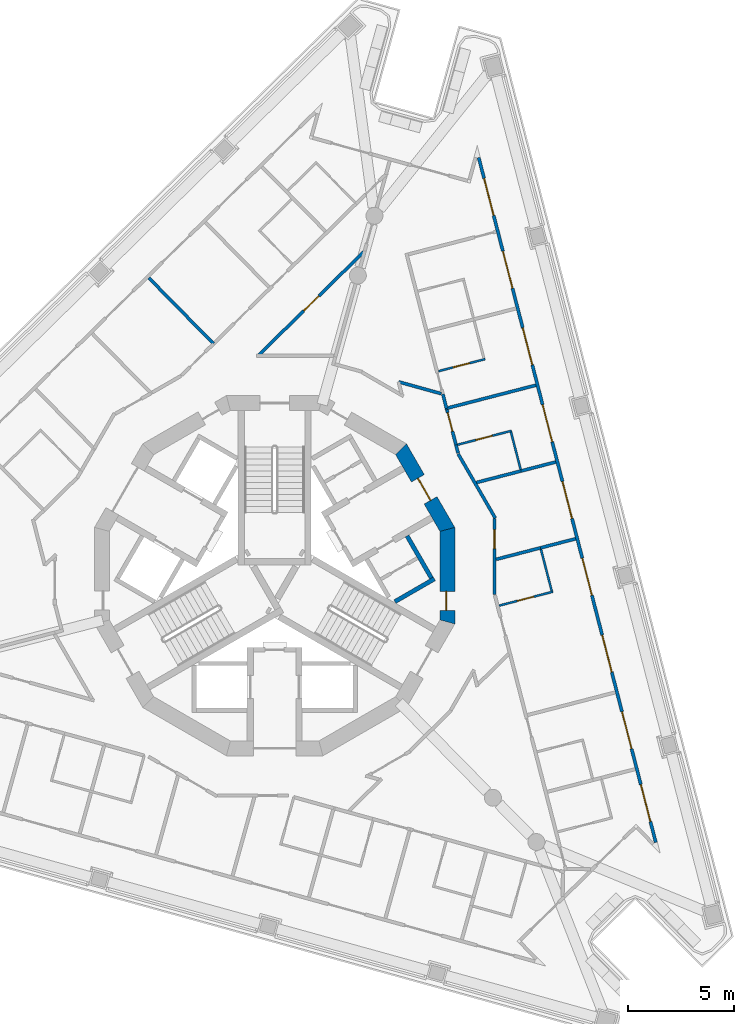
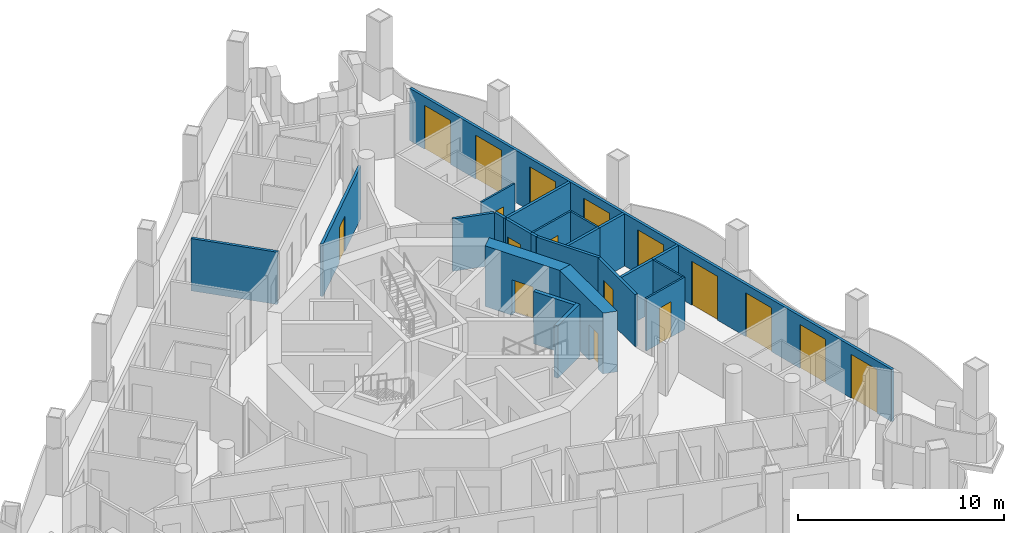
# One storey, part 7 of 15: 23 walls, 17 doors, 17 openings.
"""IFC4 building model written with IfcOpenShell, lengths in metres."""

from ifc_helpers import new_model, si_unit, direction, frame, frame_2d, origin, place, context, subcontext, project, spatial, polyline, rectangle, outline, extrude, material, layer, layer_set, type_object, element, fill, save


model = new_model("IFC4")

# Units and contexts
model_context = context("Model", 3, precision=1e-05, world=origin(), true_north=direction((0.0, 1.0)))
body_context = subcontext(model_context, "Body", "Model", "MODEL_VIEW")
ifc_project = project(units=[si_unit("LENGTHUNIT", "METRE"), si_unit("AREAUNIT", "SQUARE_METRE"), si_unit("VOLUMEUNIT", "CUBIC_METRE"), si_unit("PLANEANGLEUNIT", "RADIAN"), si_unit("MASSUNIT", "GRAM", prefix="KILO")], contexts=[model_context])

# Site, building, storey
site_placement = place(None, origin())
site = spatial("IfcSite", under=ifc_project, at=site_placement, CompositionType="ELEMENT")
building_placement = place(site_placement, origin())
building = spatial("IfcBuilding", under=site, at=building_placement, Name="Trine Commons Tower", CompositionType="ELEMENT")
storey_placement = place(building_placement, frame((0.0, 0.0, 263.699951171875)))
storey = spatial("IfcBuildingStorey", under=building, at=storey_placement, Name="L69", CompositionType="ELEMENT", Elevation=263.699951171875)

# Wall, openings, doors
ifc_material_1 = material(Name="Aluminium-framed insulated wall panel", Category="aluminium")
ifc_layer_1 = layer(ifc_material_1, 0.14990234375)
ifc_layer_set_1 = layer_set([ifc_layer_1], Name="Aluminium-framed insulated wall panel")
wall_type_1 = type_object("IfcWallType", Name="Glazed frame wall 150, EI 60", PredefinedType="SOLIDWALL", material=ifc_layer_set_1)
wall_1_placement = place(storey_placement, frame((89.59130859375, 82.377685546875, 0.0), z_axis=(0.0, 0.0, 1.0), x_axis=(0.250378839788, -0.968147941477, 0.0)))
wall_1 = element("IfcWall", 1, at=wall_1_placement, inside=storey, type_object=wall_type_1, Name="Glazed frame wall F2", PredefinedType="SOLIDWALL", context=body_context, shape_type="SweptSolid", body=[
    extrude(outline(polyline([(0.1494140625, 0.074951171875), (0.1494140625, -0.074951171875), (33.536865234375, -0.074951171875), (33.536865234375, 0.074951171875), (0.1494140625, 0.074951171875)])), origin(), (0.0, 0.0, 1.0), 3.10009765625),
])
opening_1_placement = place(wall_1_placement, frame((1.17138671875, 0.0, 0.0)))
opening_1 = element("IfcOpeningElement", 2, at=opening_1_placement, cuts=wall_1, Name="Opening BD-7F2-01", PredefinedType="OPENING", context=body_context, shape_type="SweptSolid", body=[
    extrude(rectangle(XDim=1.800048828125, YDim=2.60009765625, at=frame_2d((0.89990234375, 1.300048828125))), frame((0.0, 0.0849609375, 0.0), z_axis=(0.0, -1.0, 0.0), x_axis=(1.0, 0.0, 0.0)), (0.0, 0.0, 1.0), 0.169921875),
])
opening_2_placement = place(wall_1_placement, frame((4.71435546875, 0.0, 0.0)))
opening_2 = element("IfcOpeningElement", 3, at=opening_2_placement, cuts=wall_1, Name="Opening BD-7F2-02", PredefinedType="OPENING", context=body_context, shape_type="SweptSolid", body=[
    extrude(rectangle(XDim=1.800048828125, YDim=2.60009765625, at=frame_2d((0.89990234375, 1.300048828125))), frame((0.0, 0.0849609375, 0.0), z_axis=(0.0, -1.0, 0.0), x_axis=(1.0, 0.0, 0.0)), (0.0, 0.0, 1.0), 0.169921875),
])
opening_3_placement = place(wall_1_placement, frame((8.457275390625, 0.0, 0.0)))
opening_3 = element("IfcOpeningElement", 4, at=opening_3_placement, cuts=wall_1, Name="Opening BD-7F2-03", PredefinedType="OPENING", context=body_context, shape_type="SweptSolid", body=[
    extrude(rectangle(XDim=1.800048828125, YDim=2.60009765625, at=frame_2d((0.89990234375, 1.300048828125))), frame((0.0, 0.0849609375, 0.0), z_axis=(0.0, -1.0, 0.0), x_axis=(1.0, 0.0, 0.0)), (0.0, 0.0, 1.0), 0.169921875),
])
opening_4_placement = place(wall_1_placement, frame((12.2001953125, 0.0, 0.0)))
opening_4 = element("IfcOpeningElement", 5, at=opening_4_placement, cuts=wall_1, Name="Opening BD-7F2-04", PredefinedType="OPENING", context=body_context, shape_type="SweptSolid", body=[
    extrude(rectangle(XDim=1.800048828125, YDim=2.60009765625, at=frame_2d((0.89990234375, 1.300048828125))), frame((0.0, 0.0849609375, 0.0), z_axis=(0.0, -1.0, 0.0), x_axis=(1.0, 0.0, 0.0)), (0.0, 0.0, 1.0), 0.169921875),
])
opening_5_placement = place(wall_1_placement, frame((15.943115234375, 0.0, 0.0)))
opening_5 = element("IfcOpeningElement", 6, at=opening_5_placement, cuts=wall_1, Name="Opening BD-7F2-05", PredefinedType="OPENING", context=body_context, shape_type="SweptSolid", body=[
    extrude(rectangle(XDim=1.800048828125, YDim=2.60009765625, at=frame_2d((0.89990234375, 1.300048828125))), frame((0.0, 0.0849609375, 0.0), z_axis=(0.0, -1.0, 0.0), x_axis=(1.0, 0.0, 0.0)), (0.0, 0.0, 1.0), 0.169921875),
])
opening_6_placement = place(wall_1_placement, frame((19.68603515625, 0.0, 0.0)))
opening_6 = element("IfcOpeningElement", 7, at=opening_6_placement, cuts=wall_1, Name="Opening BD-7F2-06", PredefinedType="OPENING", context=body_context, shape_type="SweptSolid", body=[
    extrude(rectangle(XDim=1.800048828125, YDim=2.60009765625, at=frame_2d((0.89990234375, 1.300048828125))), frame((0.0, 0.0849609375, 0.0), z_axis=(0.0, -1.0, 0.0), x_axis=(1.0, 0.0, 0.0)), (0.0, 0.0, 1.0), 0.169921875),
])
opening_7_placement = place(wall_1_placement, frame((23.428955078125, 0.0, 0.0)))
opening_7 = element("IfcOpeningElement", 8, at=opening_7_placement, cuts=wall_1, Name="Opening BD-7F2-07", PredefinedType="OPENING", context=body_context, shape_type="SweptSolid", body=[
    extrude(rectangle(XDim=1.800048828125, YDim=2.60009765625, at=frame_2d((0.89990234375, 1.300048828125))), frame((0.0, 0.0849609375, 0.0), z_axis=(0.0, -1.0, 0.0), x_axis=(1.0, 0.0, 0.0)), (0.0, 0.0, 1.0), 0.169921875),
])
opening_8_placement = place(wall_1_placement, frame((27.171875, 0.0, 0.0)))
opening_8 = element("IfcOpeningElement", 9, at=opening_8_placement, cuts=wall_1, Name="Opening BD-7F2-08", PredefinedType="OPENING", context=body_context, shape_type="SweptSolid", body=[
    extrude(rectangle(XDim=1.800048828125, YDim=2.60009765625, at=frame_2d((0.89990234375, 1.300048828125))), frame((0.0, 0.0849609375, 0.0), z_axis=(0.0, -1.0, 0.0), x_axis=(1.0, 0.0, 0.0)), (0.0, 0.0, 1.0), 0.169921875),
])
opening_9_placement = place(wall_1_placement, frame((30.714599609375, 0.0, 0.0)))
opening_9 = element("IfcOpeningElement", 10, at=opening_9_placement, cuts=wall_1, Name="Opening BD-7F2-09", PredefinedType="OPENING", context=body_context, shape_type="SweptSolid", body=[
    extrude(rectangle(XDim=1.800048828125, YDim=2.60009765625, at=frame_2d((0.89990234375, 1.300048828125))), frame((0.0, 0.0849609375, 0.0), z_axis=(0.0, -1.0, 0.0), x_axis=(1.0, 0.0, 0.0)), (0.0, 0.0, 1.0), 0.169921875),
])
ifc_material_2 = material(Name="Anodised aluminium frame with double glazing", Category="aluminium")
door_type_1 = type_object("IfcDoorType", Name="Sliding loggia door 1800x2600", OperationType="SLIDING_TO_LEFT", PredefinedType="DOOR", material=ifc_material_2)
door_1_placement = place(opening_1_placement, origin())
door_1 = element("IfcDoor", 11, at=door_1_placement, inside=storey, type_object=door_type_1, Name="Loggia door F2 1", OperationType="SLIDING_TO_LEFT", OverallHeight=2.60009765625, OverallWidth=1.800048828125, PredefinedType="DOOR", context=body_context, shape_type="SweptSolid", body=[
    extrude(rectangle(XDim=1.800048828125, YDim=2.60009765625, at=frame_2d((0.89990234375, 1.300048828125))), frame((0.0, 0.02490234375, 0.0), z_axis=(0.0, -1.0, 0.0), x_axis=(1.0, 0.0, 0.0)), (0.0, 0.0, 1.0), 0.050048828125),
])
fill(opening_1, door_1)
door_2_placement = place(opening_2_placement, origin())
door_2 = element("IfcDoor", 12, at=door_2_placement, inside=storey, type_object=door_type_1, Name="Loggia door F2 2", OperationType="SLIDING_TO_LEFT", OverallHeight=2.60009765625, OverallWidth=1.800048828125, PredefinedType="DOOR", context=body_context, shape_type="SweptSolid", body=[
    extrude(rectangle(XDim=1.800048828125, YDim=2.60009765625, at=frame_2d((0.89990234375, 1.300048828125))), frame((0.0, 0.02490234375, 0.0), z_axis=(0.0, -1.0, 0.0), x_axis=(1.0, 0.0, 0.0)), (0.0, 0.0, 1.0), 0.050048828125),
])
fill(opening_2, door_2)
door_3_placement = place(opening_3_placement, origin())
door_3 = element("IfcDoor", 13, at=door_3_placement, inside=storey, type_object=door_type_1, Name="Loggia door F2 3", OperationType="SLIDING_TO_LEFT", OverallHeight=2.60009765625, OverallWidth=1.800048828125, PredefinedType="DOOR", context=body_context, shape_type="SweptSolid", body=[
    extrude(rectangle(XDim=1.800048828125, YDim=2.60009765625, at=frame_2d((0.89990234375, 1.300048828125))), frame((0.0, 0.02490234375, 0.0), z_axis=(0.0, -1.0, 0.0), x_axis=(1.0, 0.0, 0.0)), (0.0, 0.0, 1.0), 0.050048828125),
])
fill(opening_3, door_3)
door_4_placement = place(opening_4_placement, origin())
door_4 = element("IfcDoor", 14, at=door_4_placement, inside=storey, type_object=door_type_1, Name="Loggia door F2 4", OperationType="SLIDING_TO_LEFT", OverallHeight=2.60009765625, OverallWidth=1.800048828125, PredefinedType="DOOR", context=body_context, shape_type="SweptSolid", body=[
    extrude(rectangle(XDim=1.800048828125, YDim=2.60009765625, at=frame_2d((0.89990234375, 1.300048828125))), frame((0.0, 0.02490234375, 0.0), z_axis=(0.0, -1.0, 0.0), x_axis=(1.0, 0.0, 0.0)), (0.0, 0.0, 1.0), 0.050048828125),
])
fill(opening_4, door_4)
door_5_placement = place(opening_5_placement, origin())
door_5 = element("IfcDoor", 15, at=door_5_placement, inside=storey, type_object=door_type_1, Name="Loggia door F2 5", OperationType="SLIDING_TO_LEFT", OverallHeight=2.60009765625, OverallWidth=1.800048828125, PredefinedType="DOOR", context=body_context, shape_type="SweptSolid", body=[
    extrude(rectangle(XDim=1.800048828125, YDim=2.60009765625, at=frame_2d((0.89990234375, 1.300048828125))), frame((0.0, 0.02490234375, 0.0), z_axis=(0.0, -1.0, 0.0), x_axis=(1.0, 0.0, 0.0)), (0.0, 0.0, 1.0), 0.050048828125),
])
fill(opening_5, door_5)
door_6_placement = place(opening_6_placement, origin())
door_6 = element("IfcDoor", 16, at=door_6_placement, inside=storey, type_object=door_type_1, Name="Loggia door F2 6", OperationType="SLIDING_TO_LEFT", OverallHeight=2.60009765625, OverallWidth=1.800048828125, PredefinedType="DOOR", context=body_context, shape_type="SweptSolid", body=[
    extrude(rectangle(XDim=1.800048828125, YDim=2.60009765625, at=frame_2d((0.89990234375, 1.300048828125))), frame((0.0, 0.02490234375, 0.0), z_axis=(0.0, -1.0, 0.0), x_axis=(1.0, 0.0, 0.0)), (0.0, 0.0, 1.0), 0.050048828125),
])
fill(opening_6, door_6)
door_7_placement = place(opening_7_placement, origin())
door_7 = element("IfcDoor", 17, at=door_7_placement, inside=storey, type_object=door_type_1, Name="Loggia door F2 7", OperationType="SLIDING_TO_LEFT", OverallHeight=2.60009765625, OverallWidth=1.800048828125, PredefinedType="DOOR", context=body_context, shape_type="SweptSolid", body=[
    extrude(rectangle(XDim=1.800048828125, YDim=2.60009765625, at=frame_2d((0.89990234375, 1.300048828125))), frame((0.0, 0.02490234375, 0.0), z_axis=(0.0, -1.0, 0.0), x_axis=(1.0, 0.0, 0.0)), (0.0, 0.0, 1.0), 0.050048828125),
])
fill(opening_7, door_7)
door_8_placement = place(opening_8_placement, origin())
door_8 = element("IfcDoor", 18, at=door_8_placement, inside=storey, type_object=door_type_1, Name="Loggia door F2 8", OperationType="SLIDING_TO_LEFT", OverallHeight=2.60009765625, OverallWidth=1.800048828125, PredefinedType="DOOR", context=body_context, shape_type="SweptSolid", body=[
    extrude(rectangle(XDim=1.800048828125, YDim=2.60009765625, at=frame_2d((0.89990234375, 1.300048828125))), frame((0.0, 0.02490234375, 0.0), z_axis=(0.0, -1.0, 0.0), x_axis=(1.0, 0.0, 0.0)), (0.0, 0.0, 1.0), 0.050048828125),
])
fill(opening_8, door_8)
door_9_placement = place(opening_9_placement, origin())
door_9 = element("IfcDoor", 19, at=door_9_placement, inside=storey, type_object=door_type_1, Name="Loggia door F2 9", OperationType="SLIDING_TO_LEFT", OverallHeight=2.60009765625, OverallWidth=1.800048828125, PredefinedType="DOOR", context=body_context, shape_type="SweptSolid", body=[
    extrude(rectangle(XDim=1.800048828125, YDim=2.60009765625, at=frame_2d((0.89990234375, 1.300048828125))), frame((0.0, 0.02490234375, 0.0), z_axis=(0.0, -1.0, 0.0), x_axis=(1.0, 0.0, 0.0)), (0.0, 0.0, 1.0), 0.050048828125),
])
fill(opening_9, door_9)

# Wall, opening, door
ifc_material_3 = material(Name="Concrete C50/60", Category="concrete")
ifc_layer_2 = layer(ifc_material_3, 0.699951171875)
ifc_layer_set_2 = layer_set([ifc_layer_2], Name="Concrete C50/60")
wall_type_2 = type_object("IfcWallType", Name="RC shear wall 700 mm, C50/60", PredefinedType="SHEAR", material=ifc_layer_set_2)
wall_2_placement = place(storey_placement, frame((88.150146484375, 60.222412109375, 0.0), z_axis=(0.0, 0.0, 1.0), x_axis=(0.0, 1.0, 0.0)))
wall_2 = element("IfcWall", 20, at=wall_2_placement, inside=storey, type_object=wall_type_2, Name="Core wall CWG-01 L69", PredefinedType="SHEAR", context=body_context, shape_type="SweptSolid", body=[
    extrude(outline(polyline([(0.0, -0.35009765625), (4.55517578125, -0.35009765625), (4.36767578125, 0.35009765625), (0.1875, 0.35009765625), (0.0, -0.35009765625)])), origin(), (0.0, 0.0, 1.0), 3.60009765625),
])
opening_10_placement = place(wall_2_placement, frame((0.6416015625, 0.0, 0.0)))
opening_10 = element("IfcOpeningElement", 21, at=opening_10_placement, cuts=wall_2, Name="Opening K15.17", PredefinedType="OPENING", context=body_context, shape_type="SweptSolid", body=[
    extrude(rectangle(XDim=0.89990234375, YDim=2.10009765625, at=frame_2d((0.449951171875, 1.050048828125))), frame((0.0, 0.35986328125, 0.0), z_axis=(0.0, -1.0, 0.0), x_axis=(1.0, 0.0, 0.0)), (0.0, 0.0, 1.0), 0.719970703125),
])
ifc_material_4 = material(Name="Steel door leaf, fire-rated", Category="steel")
door_type_2 = type_object("IfcDoorType", Name="Core room door, single leaf 900 x 2100, FD30S", OperationType="SINGLE_SWING_LEFT", PredefinedType="DOOR", material=ifc_material_4)
door_10_placement = place(opening_10_placement, origin())
door_10 = element("IfcDoor", 22, at=door_10_placement, inside=storey, type_object=door_type_2, Name="Door to Core WC L69", OperationType="SINGLE_SWING_LEFT", OverallHeight=2.10009765625, OverallWidth=0.89990234375, PredefinedType="DOOR", context=body_context, shape_type="SweptSolid", body=[
    extrude(rectangle(XDim=0.89990234375, YDim=2.10009765625, at=frame_2d((0.449951171875, 1.050048828125))), frame((0.0, 0.0751953125, 0.0), z_axis=(0.0, -1.0, 0.0), x_axis=(1.0, 0.0, 0.0)), (0.0, 0.0, 1.0), 0.050048828125),
])
fill(opening_10, door_10)

wall_3_placement = place(storey_placement, frame((88.197021484375, 64.6025390625, 0.0), z_axis=(0.0, 0.0, 1.0), x_axis=(-0.499983800959, 0.866034756103, 0.0)))
wall_3 = element("IfcWall", 23, at=wall_3_placement, inside=storey, type_object=wall_type_2, Name="Core wall CWG-02 L69", PredefinedType="SHEAR", context=body_context, shape_type="SweptSolid", body=[
    extrude(outline(polyline([(0.0, -0.35009765625), (4.55517578125, -0.35009765625), (4.36767578125, 0.35009765625), (0.1875, 0.35009765625), (0.0, -0.35009765625)])), origin(), (0.0, 0.0, 1.0), 3.60009765625),
])
opening_11_placement = place(wall_3_placement, frame((1.677490234375, 0.0, 0.0)))
opening_11 = element("IfcOpeningElement", 24, at=opening_11_placement, cuts=wall_3, Name="Opening K15.04", PredefinedType="OPENING", context=body_context, shape_type="SweptSolid", body=[
    extrude(rectangle(XDim=1.199951171875, YDim=2.10009765625, at=frame_2d((0.60009765625, 1.050048828125))), frame((0.0, 0.35986328125, 0.0), z_axis=(0.0, -1.0, 0.0), x_axis=(1.0, 0.0, 0.0)), (0.0, 0.0, 1.0), 0.719970703125),
])
ifc_material_5 = material(Name="Steel door leaves, fire-rated", Category="steel")
door_type_3 = type_object("IfcDoorType", Name="Lobby door, double leaf 1200 x 2100, FD60", OperationType="DOUBLE_DOOR_SINGLE_SWING", PredefinedType="DOOR", material=ifc_material_5)
door_11_placement = place(opening_11_placement, origin())
door_11 = element("IfcDoor", 25, at=door_11_placement, inside=storey, type_object=door_type_3, Name="Lobby door, Core lounge L69", OperationType="DOUBLE_DOOR_SINGLE_SWING", OverallHeight=2.10009765625, OverallWidth=1.199951171875, PredefinedType="DOOR", context=body_context, shape_type="SweptSolid", body=[
    extrude(rectangle(XDim=1.199951171875, YDim=2.10009765625, at=frame_2d((0.60009765625, 1.050048828125))), frame((0.0, 0.02490234375, 0.0), z_axis=(0.0, -1.0, 0.0), x_axis=(1.0, 0.0, 0.0)), (0.0, 0.0, 1.0), 0.050048828125),
])
fill(opening_11, door_11)

# Walls
ifc_material_6 = material(Name="Fire-rated gypsum shaft wall system")
ifc_layer_3 = layer(ifc_material_6, 0.199951171875)
ifc_layer_set_3 = layer_set([ifc_layer_3], Name="Fire-rated gypsum shaft wall system")
wall_type_3 = type_object("IfcWallType", Name="Shaft wall 200 mm, EI 120", PredefinedType="PARTITIONING", material=ifc_layer_set_3)
wall_4_placement = place(storey_placement, frame((85.675048828125, 61.27392578125, 0.0), z_axis=(0.0, 0.0, 1.0), x_axis=(0.866102336459, 0.499866725018, 0.0)))
element("IfcWall", 26, at=wall_4_placement, inside=storey, type_object=wall_type_3, Name="Shaft wall L69", PredefinedType="PARTITIONING", context=body_context, shape_type="SweptSolid", body=[
    extrude(rectangle(XDim=2.1484375, YDim=0.199951171875, at=frame_2d((1.07421875, 0.0))), origin(), (0.0, 0.0, 1.0), 3.10009765625),
])
wall_5_placement = place(storey_placement, frame((86.2490234375, 64.3759765625, 0.0), z_axis=(0.0, 0.0, 1.0), x_axis=(0.500136062276, -0.86594683394, 0.0)))
element("IfcWall", 27, at=wall_5_placement, inside=storey, type_object=wall_type_3, Name="Shaft wall L69", PredefinedType="PARTITIONING", context=body_context, shape_type="SweptSolid", body=[
    extrude(rectangle(XDim=2.299072265625, YDim=0.199951171875, at=frame_2d((1.1494140625, 0.0))), origin(), (0.0, 0.0, 1.0), 3.10009765625),
])
ifc_material_7 = material(Name="Gypsum plasterboard on steel stud", Category="steel")
ifc_layer_4 = layer(ifc_material_7, 0.14990234375)
ifc_layer_set_4 = layer_set([ifc_layer_4], Name="Gypsum plasterboard on steel stud")
wall_type_4 = type_object("IfcWallType", Name="Unit and corridor wall 150 mm, EI 60", PredefinedType="PARTITIONING", material=ifc_layer_set_4)
wall_6_placement = place(storey_placement, frame((74.06005859375, 76.554443359375, 0.0), z_axis=(0.0, 0.0, 1.0), x_axis=(0.700948225768, -0.713212159734, 0.0)))
element("IfcWall", 28, at=wall_6_placement, inside=storey, type_object=wall_type_4, Name="Partition 044", PredefinedType="PARTITIONING", context=body_context, shape_type="SweptSolid", body=[
    extrude(rectangle(XDim=4.359619140625, YDim=0.14990234375, at=frame_2d((2.1796875, 0.0))), origin(), (0.0, 0.0, 1.0), 3.10009765625),
])

# Wall, opening, door
wall_7_placement = place(storey_placement, frame((79.265380859375, 72.927490234375, 0.0), z_axis=(0.0, 0.0, 1.0), x_axis=(0.713171352484, 0.700989744572, 0.0)))
wall_7 = element("IfcWall", 29, at=wall_7_placement, inside=storey, type_object=wall_type_4, Name="Partition 054", PredefinedType="PARTITIONING", context=body_context, shape_type="SweptSolid", body=[
    extrude(rectangle(XDim=6.914306640625, YDim=0.14990234375, at=frame_2d((3.45703125, 0.0))), origin(), (0.0, 0.0, 1.0), 3.10009765625),
])
opening_12_placement = place(wall_7_placement, frame((2.95703125, 0.0, 0.0)))
opening_12 = element("IfcOpeningElement", 30, at=opening_12_placement, cuts=wall_7, Name="Opening D-7C28", PredefinedType="OPENING", context=body_context, shape_type="SweptSolid", body=[
    extrude(rectangle(XDim=1.0, YDim=2.10009765625, at=frame_2d((0.5, 1.050048828125))), frame((0.0, 0.0849609375, 0.0), z_axis=(0.0, -1.0, 0.0), x_axis=(1.0, 0.0, 0.0)), (0.0, 0.0, 1.0), 0.169921875),
])
ifc_material_8 = material(Name="Painted timber", Category="wood")
door_type_4 = type_object("IfcDoorType", Name="Toilet door 1000 x 2100, NOT RATED", OperationType="NOTDEFINED", PredefinedType="DOOR", material=ifc_material_8)
door_12_placement = place(opening_12_placement, frame((1.0, 0.0, 0.0), z_axis=(0.0, 0.0, 1.0), x_axis=(-1.0, 0.0, 0.0)))
door_12 = element("IfcDoor", 31, at=door_12_placement, inside=storey, type_object=door_type_4, Name="Door D-7C28", OperationType="SINGLE_SWING_RIGHT", OverallHeight=2.10009765625, OverallWidth=1.0, PredefinedType="DOOR", context=body_context, shape_type="SweptSolid", body=[
    extrude(rectangle(XDim=1.0, YDim=2.10009765625, at=frame_2d((0.5, 1.050048828125))), frame((0.0, 0.02490234375, 0.0), z_axis=(0.0, -1.0, 0.0), x_axis=(1.0, 0.0, 0.0)), (0.0, 0.0, 1.0), 0.050048828125),
])
fill(opening_12, door_12)

# Walls
wall_8_placement = place(storey_placement, frame((85.85205078125, 71.64599609375, 0.0), z_axis=(0.0, 0.0, 1.0), x_axis=(0.963638385721, -0.267209770713, 0.0)))
element("IfcWall", 32, at=wall_8_placement, inside=storey, type_object=wall_type_4, Name="Partition 080", PredefinedType="PARTITIONING", context=body_context, shape_type="SweptSolid", body=[
    extrude(rectangle(XDim=2.088623046875, YDim=0.14990234375, at=frame_2d((1.04443359375, 0.0))), origin(), (0.0, 0.0, 1.0), 3.10009765625),
])
wall_9_placement = place(storey_placement, frame((87.93798828125, 71.06689453125, 0.0), z_axis=(0.0, 0.0, 1.0), x_axis=(0.250122032582, -0.968214319672, 0.0)))
element("IfcWall", 33, at=wall_9_placement, inside=storey, type_object=wall_type_4, Name="Partition 090", PredefinedType="PARTITIONING", context=body_context, shape_type="SweptSolid", body=[
    extrude(rectangle(XDim=0.696044921875, YDim=0.14990234375, at=frame_2d((0.34814453125, 0.0))), origin(), (0.0, 0.0, 1.0), 3.10009765625),
])
wall_10_placement = place(storey_placement, frame((88.036376953125, 70.377197265625, 0.0), z_axis=(0.0, 0.0, 1.0), x_axis=(0.968128504483, 0.25045398541, 0.0)))
element("IfcWall", 34, at=wall_10_placement, inside=storey, type_object=wall_type_4, Name="Partition 091", PredefinedType="PARTITIONING", context=body_context, shape_type="SweptSolid", body=[
    extrude(rectangle(XDim=4.435302734375, YDim=0.14990234375, at=frame_2d((2.2177734375, 0.0))), origin(), (0.0, 0.0, 1.0), 3.10009765625),
])

# Wall, opening, door
wall_11_placement = place(storey_placement, frame((88.12890625, 70.328369140625, 0.0), z_axis=(0.0, 0.0, 1.0), x_axis=(0.25028953049, -0.968171033923, 0.0)))
wall_11 = element("IfcWall", 35, at=wall_11_placement, inside=storey, type_object=wall_type_4, Name="Partition 092", PredefinedType="PARTITIONING", context=body_context, shape_type="SweptSolid", body=[
    extrude(rectangle(XDim=1.7763671875, YDim=0.14990234375, at=frame_2d((0.88818359375, 0.0))), origin(), (0.0, 0.0, 1.0), 3.10009765625),
])
opening_13_placement = place(wall_11_placement, frame((0.14990234375, 0.0, 0.0)))
opening_13 = element("IfcOpeningElement", 36, at=opening_13_placement, cuts=wall_11, Name="Opening D-7C13", PredefinedType="OPENING", context=body_context, shape_type="SweptSolid", body=[
    extrude(rectangle(XDim=0.89990234375, YDim=2.10009765625, at=frame_2d((0.449951171875, 1.050048828125))), frame((0.0, 0.0849609375, 0.0), z_axis=(0.0, -1.0, 0.0), x_axis=(1.0, 0.0, 0.0)), (0.0, 0.0, 1.0), 0.169921875),
])
ifc_material_9 = material(Name="Timber fire door set", Category="wood")
door_type_5 = type_object("IfcDoorType", Name="Bedroom door 900 x 2100, FD30S", OperationType="NOTDEFINED", PredefinedType="DOOR", material=ifc_material_9)
door_13_placement = place(opening_13_placement, origin())
door_13 = element("IfcDoor", 37, at=door_13_placement, inside=storey, type_object=door_type_5, Name="Door D-7C13", OperationType="SINGLE_SWING_LEFT", OverallHeight=2.10009765625, OverallWidth=0.89990234375, PredefinedType="DOOR", context=body_context, shape_type="SweptSolid", body=[
    extrude(rectangle(XDim=0.89990234375, YDim=2.10009765625, at=frame_2d((0.449951171875, 1.050048828125))), frame((0.0, 0.02490234375, 0.0), z_axis=(0.0, -1.0, 0.0), x_axis=(1.0, 0.0, 0.0)), (0.0, 0.0, 1.0), 0.050048828125),
])
fill(opening_13, door_13)

# Walls
wall_12_placement = place(storey_placement, frame((88.5576171875, 68.670654296875, 0.0), z_axis=(0.0, 0.0, 1.0), x_axis=(0.249564283258, -0.96835823357, 0.0)))
element("IfcWall", 38, at=wall_12_placement, inside=storey, type_object=wall_type_4, Name="Partition 095", PredefinedType="PARTITIONING", context=body_context, shape_type="SweptSolid", body=[
    extrude(rectangle(XDim=0.400146484375, YDim=0.14990234375, at=frame_2d((0.2001953125, 0.0))), origin(), (0.0, 0.0, 1.0), 3.10009765625),
])
wall_13_placement = place(storey_placement, frame((88.659912109375, 68.2490234375, 0.0), z_axis=(0.0, 0.0, 1.0), x_axis=(0.500223035479, -0.865896595891, 0.0)))
element("IfcWall", 39, at=wall_13_placement, inside=storey, type_object=wall_type_4, Name="Partition 096", PredefinedType="PARTITIONING", context=body_context, shape_type="SweptSolid", body=[
    extrude(rectangle(XDim=3.50390625, YDim=0.14990234375, at=frame_2d((1.751953125, 0.0))), origin(), (0.0, 0.0, 1.0), 3.10009765625),
])
wall_14_placement = place(storey_placement, frame((89.525634765625, 66.896728515625, 0.0), z_axis=(0.0, 0.0, 1.0), x_axis=(0.96820093058, 0.250173855596, 0.0)))
element("IfcWall", 40, at=wall_14_placement, inside=storey, type_object=wall_type_4, Name="Partition 105", PredefinedType="PARTITIONING", context=body_context, shape_type="SweptSolid", body=[
    extrude(rectangle(XDim=2.17138671875, YDim=0.14990234375, at=frame_2d((1.085693359375, 0.0))), origin(), (0.0, 0.0, 1.0), 3.10009765625),
])

# Wall, opening, door
wall_15_placement = place(storey_placement, frame((90.375, 61.616943359375, 0.0), z_axis=(0.0, 0.0, 1.0), x_axis=(0.0, 1.0, 0.0)))
wall_15 = element("IfcWall", 41, at=wall_15_placement, inside=storey, type_object=wall_type_4, Name="Partition 107", PredefinedType="PARTITIONING", context=body_context, shape_type="SweptSolid", body=[
    extrude(rectangle(XDim=3.588134765625, YDim=0.14990234375, at=frame_2d((1.7939453125, 0.0))), origin(), (0.0, 0.0, 1.0), 3.10009765625),
])
opening_14_placement = place(wall_15_placement, frame((2.160400390625, 0.0, 0.0)))
opening_14 = element("IfcOpeningElement", 42, at=opening_14_placement, cuts=wall_15, Name="Opening D-7C14", PredefinedType="OPENING", context=body_context, shape_type="SweptSolid", body=[
    extrude(rectangle(XDim=0.89990234375, YDim=2.10009765625, at=frame_2d((0.449951171875, 1.050048828125))), frame((0.0, 0.0849609375, 0.0), z_axis=(0.0, -1.0, 0.0), x_axis=(1.0, 0.0, 0.0)), (0.0, 0.0, 1.0), 0.169921875),
])
door_type_6 = type_object("IfcDoorType", Name="Service door 900 x 2100, FD30S", OperationType="NOTDEFINED", PredefinedType="DOOR", material=ifc_material_9)
door_14_placement = place(opening_14_placement, frame((0.89990234375, 0.0, 0.0), z_axis=(0.0, 0.0, 1.0), x_axis=(-1.0, 0.0, 0.0)))
door_14 = element("IfcDoor", 43, at=door_14_placement, inside=storey, type_object=door_type_6, Name="Door D-7C14", OperationType="SINGLE_SWING_LEFT", OverallHeight=2.10009765625, OverallWidth=0.89990234375, PredefinedType="DOOR", context=body_context, shape_type="SweptSolid", body=[
    extrude(rectangle(XDim=0.89990234375, YDim=2.10009765625, at=frame_2d((0.449951171875, 1.050048828125))), frame((0.0, 0.02490234375, 0.0), z_axis=(0.0, -1.0, 0.0), x_axis=(1.0, 0.0, 0.0)), (0.0, 0.0, 1.0), 0.050048828125),
])
fill(opening_14, door_14)

# Walls
wall_16_placement = place(storey_placement, frame((90.447509765625, 63.268798828125, 0.0), z_axis=(0.0, 0.0, 1.0), x_axis=(0.968046390525, 0.250771182139, 0.0)))
element("IfcWall", 44, at=wall_16_placement, inside=storey, type_object=wall_type_4, Name="Partition 108", PredefinedType="PARTITIONING", context=body_context, shape_type="SweptSolid", body=[
    extrude(rectangle(XDim=2.174072265625, YDim=0.14990234375, at=frame_2d((1.0869140625, 0.0))), origin(), (0.0, 0.0, 1.0), 3.10009765625),
])
wall_17_placement = place(storey_placement, frame((91.6279296875, 67.43994140625, 0.0), z_axis=(0.0, 0.0, 1.0), x_axis=(0.968134256409, 0.250431750318, 0.0)))
element("IfcWall", 45, at=wall_17_placement, inside=storey, type_object=wall_type_4, Name="Partition 113", PredefinedType="PARTITIONING", context=body_context, shape_type="SweptSolid", body=[
    extrude(rectangle(XDim=1.693359375, YDim=0.14990234375, at=frame_2d((0.8466796875, 0.0))), origin(), (0.0, 0.0, 1.0), 3.10009765625),
])
wall_18_placement = place(storey_placement, frame((92.544921875, 63.81201171875, 0.0), z_axis=(0.0, 0.0, 1.0), x_axis=(0.968176076017, 0.250270025829, 0.0)))
element("IfcWall", 46, at=wall_18_placement, inside=storey, type_object=wall_type_4, Name="Partition 117", PredefinedType="PARTITIONING", context=body_context, shape_type="SweptSolid", body=[
    extrude(rectangle(XDim=1.7138671875, YDim=0.14990234375, at=frame_2d((0.85693359375, 0.0))), origin(), (0.0, 0.0, 1.0), 3.10009765625),
])

# Wall, opening, door
ifc_layer_5 = layer(ifc_material_7, 0.10009765625)
ifc_layer_set_5 = layer_set([ifc_layer_5], Name="Gypsum plasterboard on steel stud")
wall_type_5 = type_object("IfcWallType", Name="Unit partition 100 mm, no rating", PredefinedType="PARTITIONING", material=ifc_layer_set_5)
wall_19_placement = place(storey_placement, frame((87.732666015625, 72.15087890625, 0.0), z_axis=(0.0, 0.0, 1.0), x_axis=(0.968154087165, 0.250355074856, 0.0)))
wall_19 = element("IfcWall", 47, at=wall_19_placement, inside=storey, type_object=wall_type_5, Name="Partition 089", PredefinedType="PARTITIONING", context=body_context, shape_type="SweptSolid", body=[
    extrude(rectangle(XDim=2.275146484375, YDim=0.10009765625, at=frame_2d((1.1376953125, 0.0))), origin(), (0.0, 0.0, 1.0), 3.10009765625),
])
opening_15_placement = place(wall_19_placement, frame((0.712646484375, 0.0, 0.0)))
opening_15 = element("IfcOpeningElement", 48, at=opening_15_placement, cuts=wall_19, Name="Opening D-7C34", PredefinedType="OPENING", context=body_context, shape_type="SweptSolid", body=[
    extrude(rectangle(XDim=0.800048828125, YDim=2.10009765625, at=frame_2d((0.39990234375, 1.050048828125))), frame((0.0, 0.06005859375, 0.0), z_axis=(0.0, -1.0, 0.0), x_axis=(1.0, 0.0, 0.0)), (0.0, 0.0, 1.0), 0.1201171875),
])
door_type_7 = type_object("IfcDoorType", Name="Internal door 800 x 2100, NOT RATED", OperationType="NOTDEFINED", PredefinedType="DOOR", material=ifc_material_8)
door_15_placement = place(opening_15_placement, frame((0.800048828125, 0.0, 0.0), z_axis=(0.0, 0.0, 1.0), x_axis=(-1.0, 0.0, 0.0)))
door_15 = element("IfcDoor", 49, at=door_15_placement, inside=storey, type_object=door_type_7, Name="Door D-7C34", OperationType="SINGLE_SWING_RIGHT", OverallHeight=2.10009765625, OverallWidth=0.800048828125, PredefinedType="DOOR", context=body_context, shape_type="SweptSolid", body=[
    extrude(rectangle(XDim=0.800048828125, YDim=2.10009765625, at=frame_2d((0.39990234375, 1.050048828125))), frame((0.0, 0.02490234375, 0.0), z_axis=(0.0, -1.0, 0.0), x_axis=(1.0, 0.0, 0.0)), (0.0, 0.0, 1.0), 0.050048828125),
])
fill(opening_15, door_15)

wall_20_placement = place(storey_placement, frame((88.630615234375, 68.6787109375, 0.0), z_axis=(0.0, 0.0, 1.0), x_axis=(0.968114849412, 0.250506763077, 0.0)))
wall_20 = element("IfcWall", 50, at=wall_20_placement, inside=storey, type_object=wall_type_5, Name="Partition 094", PredefinedType="PARTITIONING", context=body_context, shape_type="SweptSolid", body=[
    extrude(rectangle(XDim=2.64208984375, YDim=0.10009765625, at=frame_2d((1.321044921875, 0.0))), origin(), (0.0, 0.0, 1.0), 3.10009765625),
])
opening_16_placement = place(wall_20_placement, frame((0.89599609375, 0.0, 0.0)))
opening_16 = element("IfcOpeningElement", 51, at=opening_16_placement, cuts=wall_20, Name="Opening D-7C35", PredefinedType="OPENING", context=body_context, shape_type="SweptSolid", body=[
    extrude(rectangle(XDim=0.800048828125, YDim=2.10009765625, at=frame_2d((0.39990234375, 1.050048828125))), frame((0.0, 0.06005859375, 0.0), z_axis=(0.0, -1.0, 0.0), x_axis=(1.0, 0.0, 0.0)), (0.0, 0.0, 1.0), 0.1201171875),
])
door_16_placement = place(opening_16_placement, origin())
door_16 = element("IfcDoor", 52, at=door_16_placement, inside=storey, type_object=door_type_7, Name="Door D-7C35", OperationType="SINGLE_SWING_LEFT", OverallHeight=2.10009765625, OverallWidth=0.800048828125, PredefinedType="DOOR", context=body_context, shape_type="SweptSolid", body=[
    extrude(rectangle(XDim=0.800048828125, YDim=2.10009765625, at=frame_2d((0.39990234375, 1.050048828125))), frame((0.0, 0.02490234375, 0.0), z_axis=(0.0, -1.0, 0.0), x_axis=(1.0, 0.0, 0.0)), (0.0, 0.0, 1.0), 0.050048828125),
])
fill(opening_16, door_16)

wall_21_placement = place(storey_placement, frame((90.594482421875, 61.085693359375, 0.0), z_axis=(0.0, 0.0, 1.0), x_axis=(0.968118925751, 0.250491009025, 0.0)))
wall_21 = element("IfcWall", 53, at=wall_21_placement, inside=storey, type_object=wall_type_5, Name="Partition 110", PredefinedType="PARTITIONING", context=body_context, shape_type="SweptSolid", body=[
    extrude(rectangle(XDim=2.625732421875, YDim=0.10009765625, at=frame_2d((1.31298828125, 0.0))), origin(), (0.0, 0.0, 1.0), 3.10009765625),
])
opening_17_placement = place(wall_21_placement, frame((0.8876953125, 0.0, 0.0)))
opening_17 = element("IfcOpeningElement", 54, at=opening_17_placement, cuts=wall_21, Name="Opening D-7C36", PredefinedType="OPENING", context=body_context, shape_type="SweptSolid", body=[
    extrude(rectangle(XDim=0.800048828125, YDim=2.10009765625, at=frame_2d((0.39990234375, 1.050048828125))), frame((0.0, 0.06005859375, 0.0), z_axis=(0.0, -1.0, 0.0), x_axis=(1.0, 0.0, 0.0)), (0.0, 0.0, 1.0), 0.1201171875),
])
door_17_placement = place(opening_17_placement, frame((0.800048828125, 0.0, 0.0), z_axis=(0.0, 0.0, 1.0), x_axis=(-1.0, 0.0, 0.0)))
door_17 = element("IfcDoor", 55, at=door_17_placement, inside=storey, type_object=door_type_7, Name="Door D-7C36", OperationType="SINGLE_SWING_RIGHT", OverallHeight=2.10009765625, OverallWidth=0.800048828125, PredefinedType="DOOR", context=body_context, shape_type="SweptSolid", body=[
    extrude(rectangle(XDim=0.800048828125, YDim=2.10009765625, at=frame_2d((0.39990234375, 1.050048828125))), frame((0.0, 0.02490234375, 0.0), z_axis=(0.0, -1.0, 0.0), x_axis=(1.0, 0.0, 0.0)), (0.0, 0.0, 1.0), 0.050048828125),
])
fill(opening_17, door_17)

# Walls
wall_22_placement = place(storey_placement, frame((91.152587890625, 69.279541015625, 0.0), z_axis=(0.0, 0.0, 1.0), x_axis=(0.250177423801, -0.968200008583, 0.0)))
element("IfcWall", 56, at=wall_22_placement, inside=storey, type_object=wall_type_5, Name="Partition 111", PredefinedType="PARTITIONING", context=body_context, shape_type="SweptSolid", body=[
    extrude(rectangle(XDim=1.824951171875, YDim=0.10009765625, at=frame_2d((0.91259765625, 0.0))), origin(), (0.0, 0.0, 1.0), 3.10009765625),
])
wall_23_placement = place(storey_placement, frame((92.56787109375, 63.739501953125, 0.0), z_axis=(0.0, 0.0, 1.0), x_axis=(0.25066924096, -0.96807279253, 0.0)))
element("IfcWall", 57, at=wall_23_placement, inside=storey, type_object=wall_type_5, Name="Partition 118", PredefinedType="PARTITIONING", context=body_context, shape_type="SweptSolid", body=[
    extrude(rectangle(XDim=2.02490234375, YDim=0.10009765625, at=frame_2d((1.012451171875, 0.0))), origin(), (0.0, 0.0, 1.0), 3.10009765625),
])

save(model, "model.ifc")
